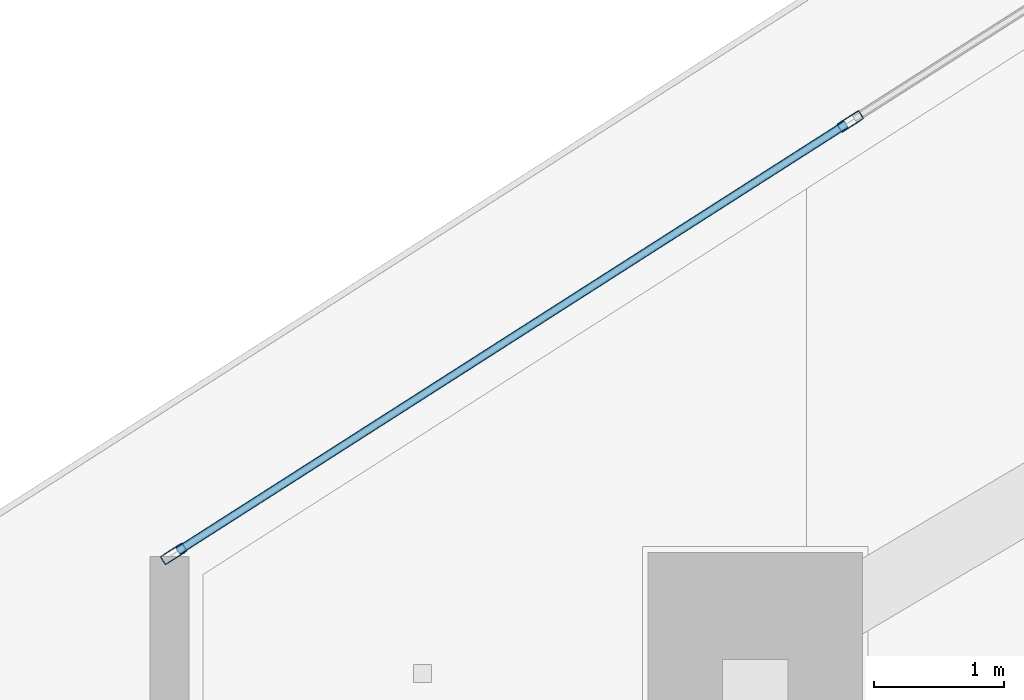
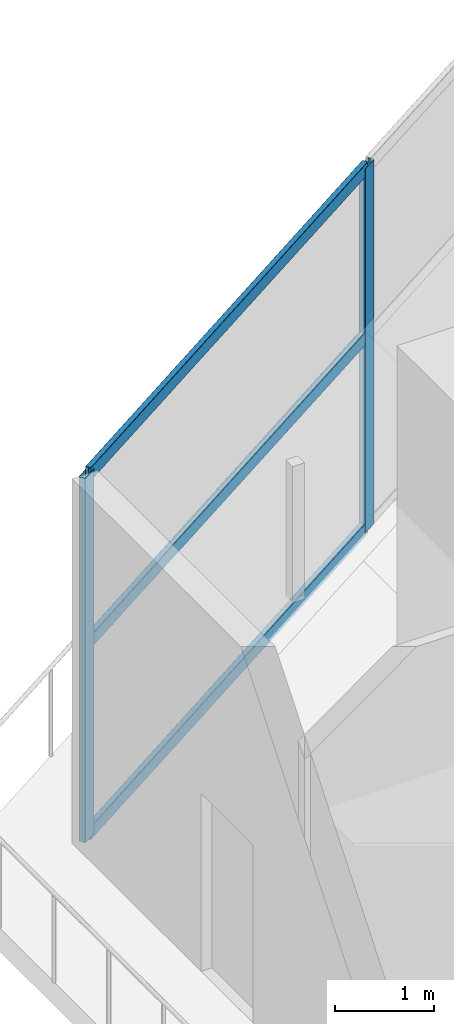
# One storey, part 7 of 36: 5 members, 1 element without a shape of its own.
"""IFC4 building model written with IfcOpenShell, lengths in metres."""

from ifc_helpers import new_model, si_unit, direction, frame, origin, origin_2d, place, context, subcontext, project, spatial, hollow_rectangle, extrude, material, layer, layer_set, material_profile, profile_set, type_object, element, aggregate, save


model = new_model("IFC4")

# Units and contexts
model_context = context("Model", 3, precision=1e-05, world=origin(), true_north=direction((0.0, 1.0)))
body_context = subcontext(model_context, "Body", "Model", "MODEL_VIEW")
ifc_project = project(units=[si_unit("LENGTHUNIT", "METRE"), si_unit("AREAUNIT", "SQUARE_METRE"), si_unit("VOLUMEUNIT", "CUBIC_METRE"), si_unit("PLANEANGLEUNIT", "RADIAN"), si_unit("MASSUNIT", "GRAM", prefix="KILO")], contexts=[model_context])

# Site, building, storey
site_placement = place(None, origin())
site = spatial("IfcSite", under=ifc_project, at=site_placement, CompositionType="ELEMENT")
building_placement = place(site_placement, origin())
building = spatial("IfcBuilding", under=site, at=building_placement, Name="Qorvath Tower", CompositionType="ELEMENT")
storey_placement = place(building_placement, frame((0.0, 0.0, 255.0)))
storey = spatial("IfcBuildingStorey", under=building, at=storey_placement, Name="L59", CompositionType="ELEMENT", Elevation=255.0)

# Curtain wall, members
ifc_material_1 = material(Name="Anodised aluminium and triple low-E glass", Category="aluminium")
ifc_layer = layer(ifc_material_1, 0.179931640625)
ifc_layer_set = layer_set([ifc_layer], Name="CW-SYS-5")
curtain_wall_type = type_object("IfcCurtainWallType", Name="CW-SYS-5", PredefinedType="NOTDEFINED", material=ifc_layer_set)
curtain_wall_placement = place(storey_placement, origin())
curtain_wall = element("IfcCurtainWall", 1, at=curtain_wall_placement, inside=storey, type_object=curtain_wall_type, Name="Curtain Wall CW-5 CW-T-L59-16.3", PredefinedType="NOTDEFINED")
ifc_material_2 = material(Name="Anodised aluminium 6063-T6", Category="aluminium")
ifc_material_profile_1 = material_profile(ifc_material_2, hollow_rectangle(XDim=0.074951171875, YDim=0.199951171875, WallThickness=0.00390625, InnerFilletRadius=0.00390625, OuterFilletRadius=0.008056640625, at=origin_2d()), Name="CWM 200x75")
ifc_profile_set_1 = profile_set([ifc_material_profile_1], Name="Anodised aluminium 6063-T6")
member_type_1 = type_object("IfcMemberType", Name="CWM-200", PredefinedType="MULLION", material=ifc_profile_set_1)
member_1_placement = place(storey_placement, frame((-46.8076171875, 6.48388671875, 0.0), z_axis=(0.0, 0.0, 1.0), x_axis=(0.538526919894, -0.842608305531, 0.0)))
member_1 = element("IfcMember", 2, at=member_1_placement, type_object=member_type_1, Name="CW-5 mullion 3", PredefinedType="MULLION", context=body_context, shape_type="SweptSolid", body=[
    extrude(hollow_rectangle(XDim=0.074951171875, YDim=0.199951171875, WallThickness=0.00390625, InnerFilletRadius=0.00390625, OuterFilletRadius=0.008056640625, at=origin_2d()), origin(), (0.0, 0.0, 1.0), 4.510009765625),
])
member_2_placement = place(storey_placement, frame((-52.00439453125, 3.16259765625, 0.0), z_axis=(0.0, 0.0, 1.0), x_axis=(0.538526919894, -0.842608305531, 0.0)))
member_2 = element("IfcMember", 3, at=member_2_placement, type_object=member_type_1, Name="CW-5 mullion 4", PredefinedType="MULLION", context=body_context, shape_type="SweptSolid", body=[
    extrude(hollow_rectangle(XDim=0.074951171875, YDim=0.199951171875, WallThickness=0.00390625, InnerFilletRadius=0.00390625, OuterFilletRadius=0.008056640625, at=origin_2d()), origin(), (0.0, 0.0, 1.0), 4.510009765625),
])
ifc_material_3 = material(Name="Anodised aluminium 6063-T6", Category="aluminium")
ifc_material_profile_2 = material_profile(ifc_material_3, hollow_rectangle(XDim=0.06494140625, YDim=0.159912109375, WallThickness=0.00341796875, InnerFilletRadius=0.00341796875, OuterFilletRadius=0.007080078125, at=origin_2d()), Name="CWT 160x65")
ifc_profile_set_2 = profile_set([ifc_material_profile_2], Name="Anodised aluminium 6063-T6")
member_type_2 = type_object("IfcMemberType", Name="CWT-160", PredefinedType="USERDEFINED", material=ifc_profile_set_2)
member_3_placement = place(storey_placement, frame((-46.839111328125, 6.463623046875, 0.032470703125), z_axis=(-0.842615449384, -0.538515742071, 0.0), x_axis=(0.538515742071, -0.842615449384, 0.0)))
member_3 = element("IfcMember", 4, at=member_3_placement, type_object=member_type_2, Name="CW-5 transom 3.1", ObjectType="TRANSOM", PredefinedType="USERDEFINED", context=body_context, shape_type="SweptSolid", body=[
    extrude(hollow_rectangle(XDim=0.06494140625, YDim=0.159912109375, WallThickness=0.00341796875, InnerFilletRadius=0.00341796875, OuterFilletRadius=0.007080078125, at=origin_2d()), origin(), (0.0, 0.0, 1.0), 6.0927734375),
])
member_4_placement = place(storey_placement, frame((-46.839111328125, 6.463623046875, 2.39990234375), z_axis=(-0.842615449384, -0.538515742071, 0.0), x_axis=(0.538515742071, -0.842615449384, 0.0)))
member_4 = element("IfcMember", 5, at=member_4_placement, type_object=member_type_2, Name="CW-5 transom 3.2", ObjectType="TRANSOM", PredefinedType="USERDEFINED", context=body_context, shape_type="SweptSolid", body=[
    extrude(hollow_rectangle(XDim=0.06494140625, YDim=0.159912109375, WallThickness=0.00341796875, InnerFilletRadius=0.00341796875, OuterFilletRadius=0.007080078125, at=origin_2d()), origin(), (0.0, 0.0, 1.0), 6.0927734375),
])
member_5_placement = place(storey_placement, frame((-46.839111328125, 6.463623046875, 4.4775390625), z_axis=(-0.842615449384, -0.538515742071, 0.0), x_axis=(0.538515742071, -0.842615449384, 0.0)))
member_5 = element("IfcMember", 6, at=member_5_placement, type_object=member_type_2, Name="CW-5 transom 3.3", ObjectType="TRANSOM", PredefinedType="USERDEFINED", context=body_context, shape_type="SweptSolid", body=[
    extrude(hollow_rectangle(XDim=0.06494140625, YDim=0.159912109375, WallThickness=0.00341796875, InnerFilletRadius=0.00341796875, OuterFilletRadius=0.007080078125, at=origin_2d()), origin(), (0.0, 0.0, 1.0), 6.0927734375),
])
aggregate(curtain_wall, [member_1, member_2, member_3, member_4, member_5])

save(model, "model.ifc")
